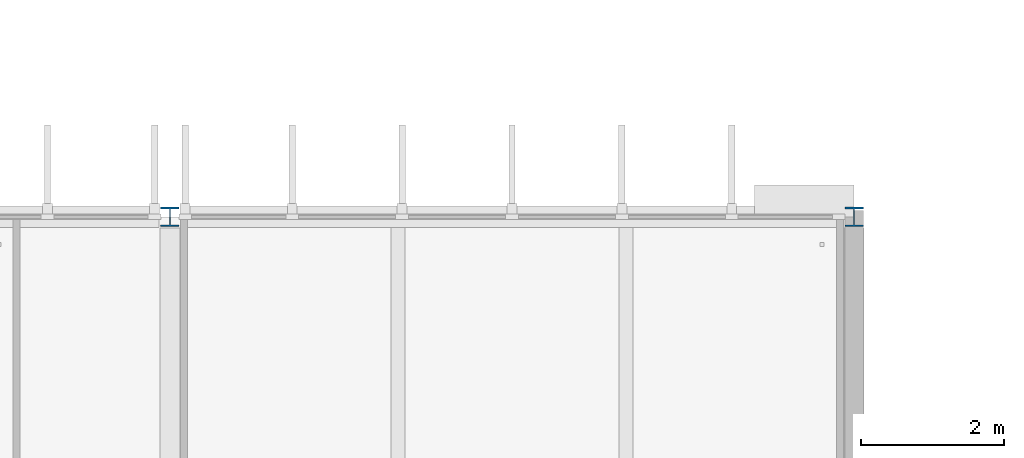
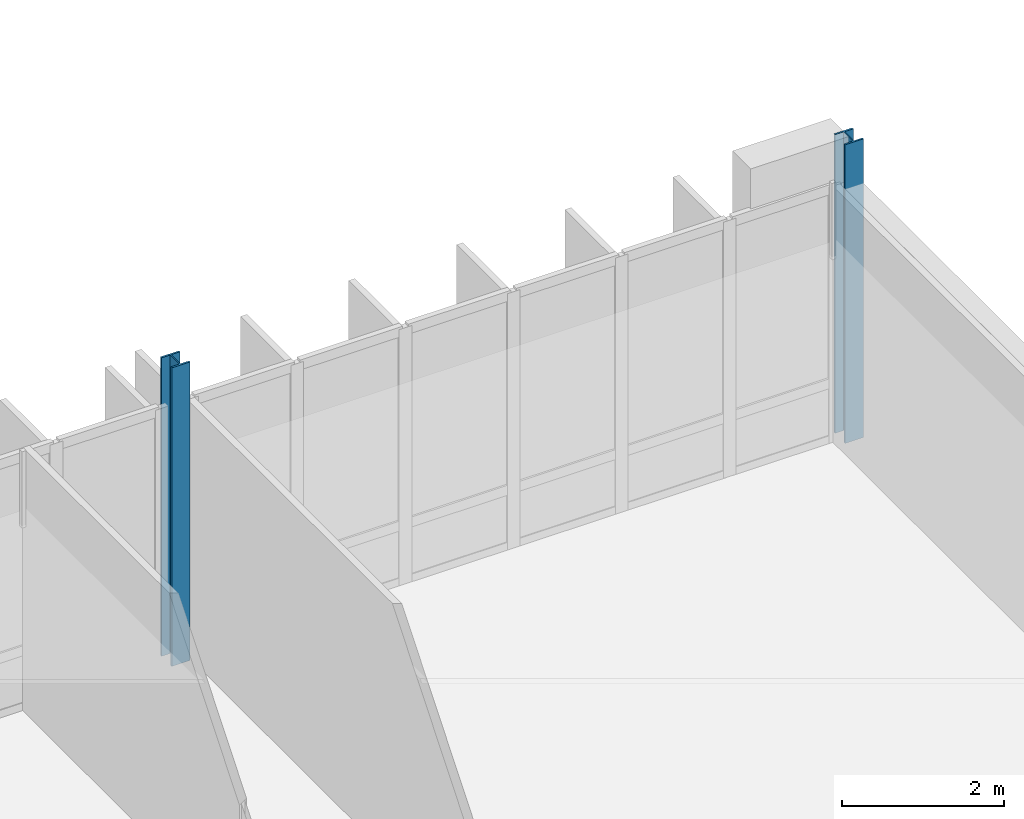
# One storey, part 9 of 93: 2 columns.
"""IFC4 building model written with IfcOpenShell, lengths in metres."""

from ifc_helpers import new_model, si_unit, direction, frame, origin, origin_2d, place, context, subcontext, project, spatial, i_section, extrude, material, material_profile, profile_set, type_object, element, save


model = new_model("IFC4")

# Units and contexts
model_context = context("Model", 3, precision=1e-05, world=origin(), true_north=direction((0.0, 1.0)))
body_context = subcontext(model_context, "Body", "Model", "MODEL_VIEW")
ifc_project = project(units=[si_unit("LENGTHUNIT", "METRE"), si_unit("AREAUNIT", "SQUARE_METRE"), si_unit("VOLUMEUNIT", "CUBIC_METRE"), si_unit("PLANEANGLEUNIT", "RADIAN"), si_unit("MASSUNIT", "GRAM", prefix="KILO")], contexts=[model_context])

# Site, building, storey
site_placement = place(None, origin())
site = spatial("IfcSite", under=ifc_project, at=site_placement, CompositionType="ELEMENT")
building_placement = place(site_placement, origin())
building = spatial("IfcBuilding", under=site, at=building_placement, Name="Dunescarp Central Library", CompositionType="ELEMENT")
storey_placement = place(building_placement, frame((0.0, 0.0, 14.10009765625)))
storey = spatial("IfcBuildingStorey", under=building, at=storey_placement, Name="L03", CompositionType="ELEMENT", Elevation=14.10009765625)

# Columns
ifc_material = material(Name="Steel S355JR", Category="steel")
ifc_material_profile = material_profile(ifc_material, i_section(OverallWidth=0.26123046875, OverallDepth=0.2763671875, WebThickness=0.015380859375, FlangeThickness=0.025390625, at=origin_2d()), Name="UC 254x254x132")
ifc_profile_set = profile_set([ifc_material_profile], Name="Steel S355JR")
column_type = type_object("IfcColumnType", Name="STR-COL-UC254X132", PredefinedType="COLUMN", material=ifc_profile_set)
for number, where, z_axis, x_axis, name in (
    (1, (67.199951171875, 36.800048828125, 0.0), (0.0, 0.0, 1.0), (1.0, 0.0, 0.0), "L03 column V2-672-368"),
    (2, (76.800048828125, 36.800048828125, 0.0), (0.0, 0.0, 1.0), (1.0, 0.0, 0.0), "L03 column V2-768-368"),
):
    element("IfcColumn", number, at=place(storey_placement, frame(where, z_axis=z_axis, x_axis=x_axis)), inside=storey, type_object=column_type, Name=name, PredefinedType="COLUMN", context=body_context, shape_type="SweptSolid", body=[
        extrude(i_section(OverallWidth=0.26123046875, OverallDepth=0.2763671875, WebThickness=0.015380859375, FlangeThickness=0.025390625, at=origin_2d()), origin(), (0.0, 0.0, 1.0), 4.5),
    ])

save(model, "model.ifc")
